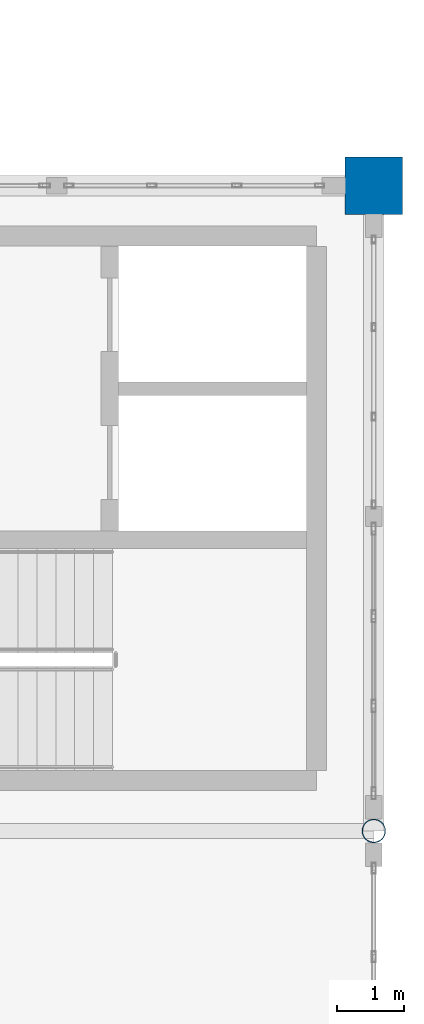
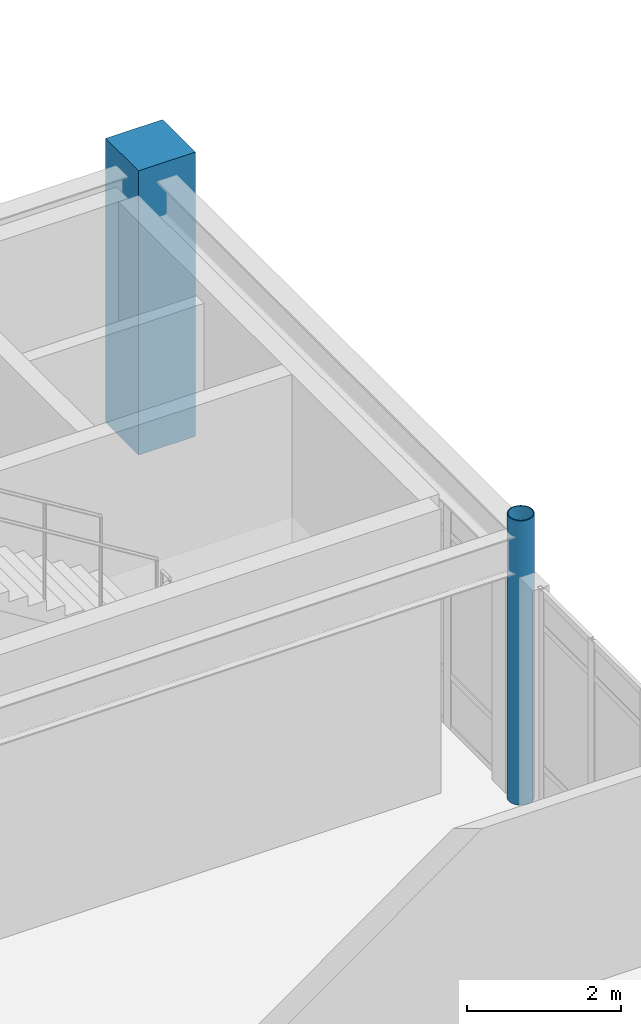
# One storey, part 4 of 55: 2 columns.
"""IFC4 building model written with IfcOpenShell, lengths in metres."""

from ifc_helpers import new_model, si_unit, direction, frame, origin, origin_2d, place, context, subcontext, project, spatial, rectangle, hollow_circle, extrude, material, material_profile, profile_set, type_object, element, save


model = new_model("IFC4")

# Units and contexts
model_context = context("Model", 3, precision=1e-05, world=origin(), true_north=direction((0.0, 1.0)))
body_context = subcontext(model_context, "Body", "Model", "MODEL_VIEW")
ifc_project = project(units=[si_unit("LENGTHUNIT", "METRE"), si_unit("AREAUNIT", "SQUARE_METRE"), si_unit("VOLUMEUNIT", "CUBIC_METRE"), si_unit("PLANEANGLEUNIT", "RADIAN"), si_unit("MASSUNIT", "GRAM", prefix="KILO")], contexts=[model_context])

# Site, building, storey
site_placement = place(None, origin())
site = spatial("IfcSite", under=ifc_project, at=site_placement, CompositionType="ELEMENT")
building_placement = place(site_placement, origin())
building = spatial("IfcBuilding", under=site, at=building_placement, Name="Fikremerkos Civic Library", CompositionType="ELEMENT")
storey_placement = place(building_placement, frame((0.0, 0.0, 18.89990234375)))
storey = spatial("IfcBuildingStorey", under=building, at=storey_placement, Name="L04", CompositionType="ELEMENT", Elevation=18.89990234375)

# Columns
ifc_material_1 = material(Name="Concrete C40/50", Category="concrete")
ifc_material_profile_1 = material_profile(ifc_material_1, rectangle(XDim=0.85009765625, YDim=0.85009765625, at=origin_2d()), Name="RC 850x850")
ifc_profile_set_1 = profile_set([ifc_material_profile_1], Name="Concrete C40/50")
column_type_1 = type_object("IfcColumnType", Name="Structural column COL-04 RC 850x850", PredefinedType="COLUMN", material=ifc_profile_set_1)
column_1_placement = place(storey_placement, frame((113.699951171875, 31.199951171875, 0.0), z_axis=(0.0, 0.0, 1.0), x_axis=(1.0, 0.0, 0.0)))
element("IfcColumn", 1, at=column_1_placement, inside=storey, type_object=column_type_1, Name="Column COL-04 L04 10/G", PredefinedType="COLUMN", context=body_context, shape_type="SweptSolid", body=[
    extrude(rectangle(XDim=0.85009765625, YDim=0.85009765625, at=origin_2d()), origin(), (0.0, 0.0, 1.0), 4.5),
])
ifc_material_2 = material(Name="Steel S355", Category="steel")
ifc_material_profile_2 = material_profile(ifc_material_2, hollow_circle(Radius=0.177734375, WallThickness=0.01416015625, at=origin_2d()), Name="CHS 355.6x14.2")
ifc_profile_set_2 = profile_set([ifc_material_profile_2], Name="Steel S355")
column_type_2 = type_object("IfcColumnType", Name="Structural column COL-30 CHS 355.6x14.2", PredefinedType="COLUMN", material=ifc_profile_set_2)
column_2_placement = place(storey_placement, frame((113.699951171875, 21.60009765625, 0.0), z_axis=(0.0, 0.0, 1.0), x_axis=(1.0, 0.0, 0.0)))
element("IfcColumn", 2, at=column_2_placement, inside=storey, type_object=column_type_2, Name="Column COL-30 L04 10/F", PredefinedType="COLUMN", context=body_context, shape_type="SweptSolid", body=[
    extrude(hollow_circle(Radius=0.177734375, WallThickness=0.01416015625, at=origin_2d()), origin(), (0.0, 0.0, 1.0), 4.5),
])

save(model, "model.ifc")
